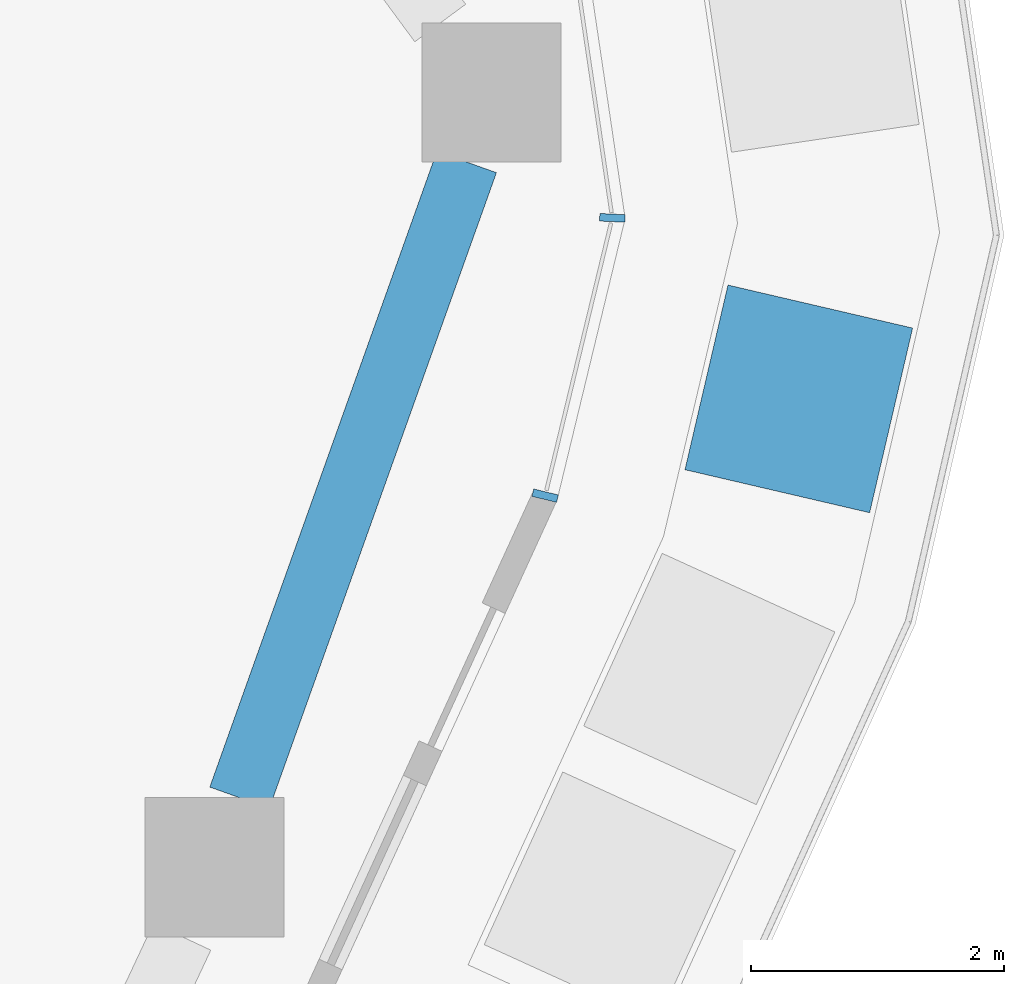
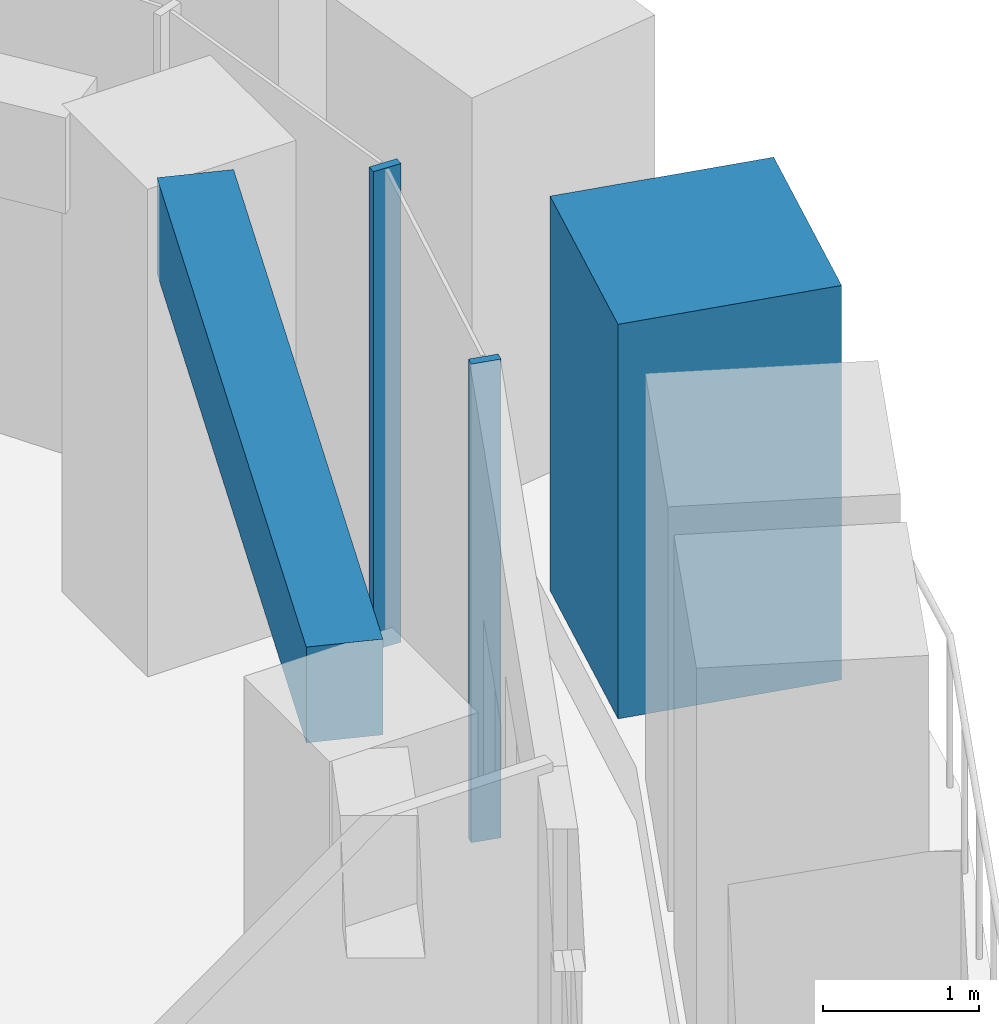
# One storey, part 6 of 22: 3 members, 1 beam, 1 element without a shape of its own.
"""IFC4 building model written with IfcOpenShell, lengths in metres."""

import ifcopenshell
import ifcopenshell.guid

model = None  # the IFC model being written
_history = None  # IfcOwnerHistory: only IFC2X3 demands one
_inside = {}  # id of a spatial element -> (the spatial element, [elements in it])
_under = {}  # id of a project, library or spatial element -> (it, [spatial elements below it])
_declared = {}  # id of a project -> (the project, [libraries it declares])
_typed = {}  # id of a type object -> (the type object, [elements of that type])
_made_of = {}  # id of a material, layer set ... -> (it, [elements and type objects made of it])


def new_model(schema):
    """Start an empty IFC model of exactly this schema.

    Asked for "IFC4X3", IfcOpenShell would pick the latest addendum, in which some entities
    have other attributes; the version numbers below select the first issue.
    IFC2X3 requires an IfcOwnerHistory on every rooted entity: one is made here for all.
    """
    global model, _history
    if schema == "IFC4X3":
        model = ifcopenshell.file(schema_version=(4, 3, 0, 0))
    else:
        model = ifcopenshell.file(schema=schema)
    _inside.clear()
    _under.clear()
    _declared.clear()
    _typed.clear()
    _made_of.clear()
    _history = None
    if model.schema == "IFC2X3":
        org = make("IfcOrganization", Name="unknown")
        user = make(
            "IfcPersonAndOrganization",
            ThePerson=make("IfcPerson", FamilyName="unknown"),
            TheOrganization=org,
        )
        app = make(
            "IfcApplication",
            ApplicationDeveloper=org,
            Version="unknown",
            ApplicationFullName="unknown",
            ApplicationIdentifier="unknown",
        )
        _history = make(
            "IfcOwnerHistory",
            OwningUser=user,
            OwningApplication=app,
            ChangeAction="ADDED",
            CreationDate=0,
        )
    return model


def make(cls, **values):
    """One entity of the class cls with the attributes given. An attribute that is None is left unset."""
    return model.create_entity(
        cls, **{name: value for name, value in values.items() if value is not None}
    )


def rooted(cls, **values):
    """An entity with a GlobalId (a new one), such as an element, a storey or a relation."""
    return make(cls, GlobalId=ifcopenshell.guid.new(), OwnerHistory=_history, **values)


def si_unit(unit_type, name, prefix=None):
    """IfcSIUnit, for example si_unit("LENGTHUNIT", "METRE", prefix="MILLI")."""
    return make("IfcSIUnit", UnitType=unit_type, Prefix=prefix, Name=name)


def assignment(units):
    """IfcUnitAssignment: the units of a project."""
    return None if units is None else make("IfcUnitAssignment", Units=units)


def point(xyz):
    """IfcCartesianPoint."""
    return None if xyz is None else make("IfcCartesianPoint", Coordinates=xyz)


def direction(xyz):
    """IfcDirection."""
    return None if xyz is None else make("IfcDirection", DirectionRatios=xyz)


def frame(location, z_axis=None, x_axis=None):
    """IfcAxis2Placement3D, a coordinate frame: its origin and axes. An axis left out is left unset."""
    return make(
        "IfcAxis2Placement3D",
        Location=point(location),
        Axis=direction(z_axis),
        RefDirection=direction(x_axis),
    )


def frame_2d(location, x_axis=None):
    """IfcAxis2Placement2D, a coordinate frame in the plane: its origin and x axis."""
    return make(
        "IfcAxis2Placement2D", Location=point(location), RefDirection=direction(x_axis)
    )


def origin():
    """The frame at (0, 0, 0) with its axes left unset."""
    return frame((0.0, 0.0, 0.0))


def origin_2d():
    """The frame at (0, 0) in the plane with its x axis left unset."""
    return frame_2d((0.0, 0.0))


def place(relative_to, where):
    """IfcLocalPlacement: puts the frame where relative to a parent placement (None: the world)."""
    return make(
        "IfcLocalPlacement", PlacementRelTo=relative_to, RelativePlacement=where
    )


def context(
    kind, dimensions, precision=None, world=None, true_north=None, identifier=None
):
    """IfcGeometricRepresentationContext, for example the 3D "Model" context."""
    return make(
        "IfcGeometricRepresentationContext",
        ContextIdentifier=identifier,
        ContextType=kind,
        CoordinateSpaceDimension=dimensions,
        Precision=precision,
        WorldCoordinateSystem=world,
        TrueNorth=true_north,
    )


def subcontext(parent, identifier, kind, view, scale=None):
    """IfcGeometricRepresentationSubContext, for example "Body" below "Model"."""
    return make(
        "IfcGeometricRepresentationSubContext",
        ContextIdentifier=identifier,
        ContextType=kind,
        ParentContext=parent,
        TargetScale=scale,
        TargetView=view,
    )


def project(units=None, contexts=None):
    """IfcProject with its units and contexts."""
    return rooted(
        "IfcProject",
        Name="project",
        RepresentationContexts=contexts,
        UnitsInContext=assignment(units),
    )


def spatial(cls, under=None, at=None, **own):
    """A site, building, storey or space (cls), placed at a placement, below another one or the project."""
    s = rooted(cls, ObjectPlacement=at, **own)
    if under is not None:
        _under.setdefault(under.id(), (under, []))[1].append(s)
    return s


def profile(cls, at=None, kind="AREA", **sizes):
    """A parametric profile (cls). Its sizes go by their IFC names, for example OverallWidth=200.0."""
    return make(cls, ProfileType=kind, Position=at, **sizes)


def rectangle(**sizes):
    """IfcRectangleProfileDef."""
    return profile("IfcRectangleProfileDef", **sizes)


def extrude(swept, where, along, depth):
    """IfcExtrudedAreaSolid: the profile swept, set in the frame where, extruded along a direction by depth."""
    return make(
        "IfcExtrudedAreaSolid",
        SweptArea=swept,
        Position=where,
        ExtrudedDirection=direction(along),
        Depth=depth,
    )


def shape(context_of_items, identifier, shape_type, items):
    """IfcShapeRepresentation: the items that make up one representation, for example the "Body"."""
    return make(
        "IfcShapeRepresentation",
        ContextOfItems=context_of_items,
        RepresentationIdentifier=identifier,
        RepresentationType=shape_type,
        Items=items,
    )


def material(Name=None, Category=None):
    """IfcMaterial."""
    return make("IfcMaterial", Name=Name, Category=Category)


def layer(
    of_material, thickness, ventilated=None, Name=None, Category=None, Priority=None
):
    """IfcMaterialLayer: one layer of a wall or slab, of a material (None: an air gap)."""
    return make(
        "IfcMaterialLayer",
        Material=of_material,
        LayerThickness=thickness,
        IsVentilated=ventilated,
        Name=Name,
        Category=Category,
        Priority=Priority,
    )


def layer_set(layers, Name=None):
    """IfcMaterialLayerSet."""
    return make("IfcMaterialLayerSet", MaterialLayers=layers, LayerSetName=Name)


def material_profile(
    of_material, cross_section, Name=None, Category=None, Priority=None
):
    """IfcMaterialProfile: a cross section and its material."""
    return make(
        "IfcMaterialProfile",
        Name=Name,
        Material=of_material,
        Profile=cross_section,
        Priority=Priority,
        Category=Category,
    )


def profile_set(profiles, Name=None, composite=None):
    """IfcMaterialProfileSet."""
    return make(
        "IfcMaterialProfileSet",
        Name=Name,
        MaterialProfiles=profiles,
        CompositeProfile=composite,
    )


def made_of(thing, what):
    """Note that an element or type object is made of a material, layer set ...; save() writes the relation."""
    if what is not None:
        _made_of.setdefault(what.id(), (what, []))[1].append(thing)
    return thing


def type_object(cls, material=None, **own):
    """A type object (cls), such as IfcWallType, which elements share."""
    return made_of(rooted(cls, **own), material)


def element(
    cls,
    number,
    at=None,
    inside=None,
    cuts=None,
    type_object=None,
    material=None,
    context=None,
    identifier="Body",
    shape_type=None,
    held_by="IfcProductDefinitionShape",
    body=None,
    shapes=None,
    **own,
):
    """One element of the class cls, such as IfcWall. Its Tag is "e" and its number.

    at: its placement. inside: the storey or other place that contains it. cuts: it is an
    opening in that element (IfcRelVoidsElement). A single representation is given by context,
    identifier, shape_type and body (its items); several are given by shapes. held_by: the class
    of the entity that holds the representations. save() writes the other relations.
    """
    e = rooted(cls, Tag="e%d" % number, ObjectPlacement=at, **own)
    if body is not None:
        shapes = [shape(context, identifier, shape_type, body)]
    if shapes is not None:
        e.Representation = make(held_by, Representations=shapes)
    if inside is not None:
        _inside.setdefault(inside.id(), (inside, []))[1].append(e)
    if cuts is not None:
        rooted(
            "IfcRelVoidsElement", RelatingBuildingElement=cuts, RelatedOpeningElement=e
        )
    if type_object is not None:
        _typed.setdefault(type_object.id(), (type_object, []))[1].append(e)
    return made_of(e, material)


def aggregate(whole, parts):
    """IfcRelAggregates: a whole, such as a stair, and the parts it consists of."""
    return rooted("IfcRelAggregates", RelatingObject=whole, RelatedObjects=parts)


def save(model, path):
    """Write the relations noted so far, then the file.

    IfcRelAggregates (storeys below a building ...), IfcRelContainedInSpatialStructure (elements
    in a storey), IfcRelDefinesByType, IfcRelAssociatesMaterial and IfcRelDeclares: one each for
    every whole, place, type object, material and project.
    """
    for whole, parts in _under.values():
        aggregate(whole, parts)
    for where, things in _inside.values():
        rooted(
            "IfcRelContainedInSpatialStructure",
            RelatedElements=things,
            RelatingStructure=where,
        )
    for kind, things in _typed.values():
        rooted("IfcRelDefinesByType", RelatedObjects=things, RelatingType=kind)
    for what, things in _made_of.values():
        rooted("IfcRelAssociatesMaterial", RelatedObjects=things, RelatingMaterial=what)
    for by, libraries in _declared.values():
        rooted("IfcRelDeclares", RelatingContext=by, RelatedDefinitions=libraries)
    model.write(path)


model = new_model("IFC4")

# Units and contexts
model_context = context("Model", 3, precision=1e-05, world=origin(), true_north=direction((0.0, 1.0)))
body_context = subcontext(model_context, "Body", "Model", "MODEL_VIEW")
ifc_project = project(units=[si_unit("LENGTHUNIT", "METRE"), si_unit("AREAUNIT", "SQUARE_METRE"), si_unit("VOLUMEUNIT", "CUBIC_METRE"), si_unit("PLANEANGLEUNIT", "RADIAN"), si_unit("MASSUNIT", "GRAM", prefix="KILO")], contexts=[model_context])

# Site, building, storey
site_placement = place(None, origin())
site = spatial("IfcSite", under=ifc_project, at=site_placement, CompositionType="ELEMENT")
building_placement = place(site_placement, origin())
building = spatial("IfcBuilding", under=site, at=building_placement, Name="Dongbaek Canopy Tower", CompositionType="ELEMENT")
storey_placement = place(building_placement, frame((0.0, 0.0, 237.0)))
storey = spatial("IfcBuildingStorey", under=building, at=storey_placement, Name="L49", CompositionType="ELEMENT", Elevation=237.0)

# Curtain wall, members
ifc_material_1 = material(Name="Aluminium 6063-T6 pale anodised", Category="aluminium")
ifc_layer = layer(ifc_material_1, 0.199951171875)
ifc_layer_set = layer_set([ifc_layer], Name="CW-1 unitised tower curtain wall")
curtain_wall_type = type_object("IfcCurtainWallType", Name="CW-1 unitised tower curtain wall", PredefinedType="NOTDEFINED", material=ifc_layer_set)
curtain_wall_placement = place(storey_placement, origin())
curtain_wall = element("IfcCurtainWall", 1, at=curtain_wall_placement, inside=storey, type_object=curtain_wall_type, Name="CW-1 curtain wall K0.1", PredefinedType="NOTDEFINED")
ifc_material_2 = material(Name="Aluminium 6063-T6 pale anodised", Category="aluminium")
ifc_material_profile_1 = material_profile(ifc_material_2, rectangle(XDim=0.199951171875, YDim=0.06005859375, at=origin_2d()), Name="CW-1 mullion 60 x 200")
ifc_profile_set_1 = profile_set([ifc_material_profile_1], Name="Aluminium 6063-T6 pale anodised")
member_type_1 = type_object("IfcMemberType", Name="CW-1 mullion 60 x 200", PredefinedType="MULLION", material=ifc_profile_set_1)
member_1_placement = place(storey_placement, frame((27.916259765625, 2.78759765625, 0.0), z_axis=(0.0, 0.0, 1.0), x_axis=(0.972013930306, -0.23492321999, 0.0)))
member_1 = element("IfcMember", 2, at=member_1_placement, type_object=member_type_1, Name="CW-1 mullion K0.1.1", PredefinedType="MULLION", context=body_context, shape_type="SweptSolid", body=[
    extrude(rectangle(XDim=0.199951171875, YDim=0.06005859375, at=origin_2d()), origin(), (0.0, 0.0, 1.0), 3.75),
])
member_2_placement = place(storey_placement, frame((28.447509765625, 4.9853515625, 0.0), z_axis=(0.0, 0.0, 1.0), x_axis=(0.998982572587, -0.045097889837, 0.0)))
member_2 = element("IfcMember", 3, at=member_2_placement, type_object=member_type_1, Name="CW-1 mullion K0.1.2", PredefinedType="MULLION", context=body_context, shape_type="SweptSolid", body=[
    extrude(rectangle(XDim=0.199951171875, YDim=0.06005859375, at=origin_2d()), origin(), (0.0, 0.0, 1.0), 3.75),
])
aggregate(curtain_wall, [member_1, member_2])

# Beam
ifc_material_3 = material(Name="Concrete C70", Category="concrete")
ifc_material_profile_2 = material_profile(ifc_material_3, rectangle(XDim=0.5, YDim=0.75, at=origin_2d()), Name="RC EDGE BEAM 500x750 C70")
ifc_profile_set_2 = profile_set([ifc_material_profile_2], Name="Concrete C70")
beam_type = type_object("IfcBeamType", Name="RC EDGE BEAM 500x750 C70", PredefinedType="BEAM", material=ifc_profile_set_2)
beam_placement = place(storey_placement, frame((27.29541015625, 5.427001953125, 3.445068359375), z_axis=(-0.336466714227, -0.94169535956, 0.0), x_axis=(0.94169535956, -0.336466714227, 0.0)))
element("IfcBeam", 4, at=beam_placement, inside=storey, type_object=beam_type, Name="EDGEBEAM:L49:21", PredefinedType="BEAM", context=body_context, shape_type="SweptSolid", body=[
    extrude(rectangle(XDim=0.5, YDim=0.75, at=origin_2d()), origin(), (0.0, 0.0, 1.0), 5.34033203125),
])

# Member
ifc_material_4 = material(Name="Concrete C40/50 planter mass with planting", Category="concrete")
ifc_material_profile_3 = material_profile(ifc_material_4, rectangle(XDim=1.5, YDim=1.5, at=origin_2d()), Name="Terrace PLANTER shrub mass 1500 x 1500")
ifc_profile_set_3 = profile_set([ifc_material_profile_3], Name="Concrete C40/50 planter mass with planting")
member_type_2 = type_object("IfcMemberType", Name="Terrace PLANTER shrub mass 1500 x 1500", PredefinedType="USERDEFINED", material=ifc_profile_set_3)
member_3_placement = place(storey_placement, frame((29.9228515625, 3.55322265625, 0.419921875), z_axis=(0.0, 0.0, 1.0), x_axis=(0.973950605829, -0.226760264168, 0.0)))
element("IfcMember", 5, at=member_3_placement, inside=storey, type_object=member_type_2, Name="Planter shrubs L49 3.3", ObjectType="PLANTER", PredefinedType="USERDEFINED", context=body_context, shape_type="SweptSolid", body=[
    extrude(rectangle(XDim=1.5, YDim=1.5, at=origin_2d()), origin(), (0.0, 0.0, 1.0), 3.090087890625),
])

save(model, "model.ifc")
